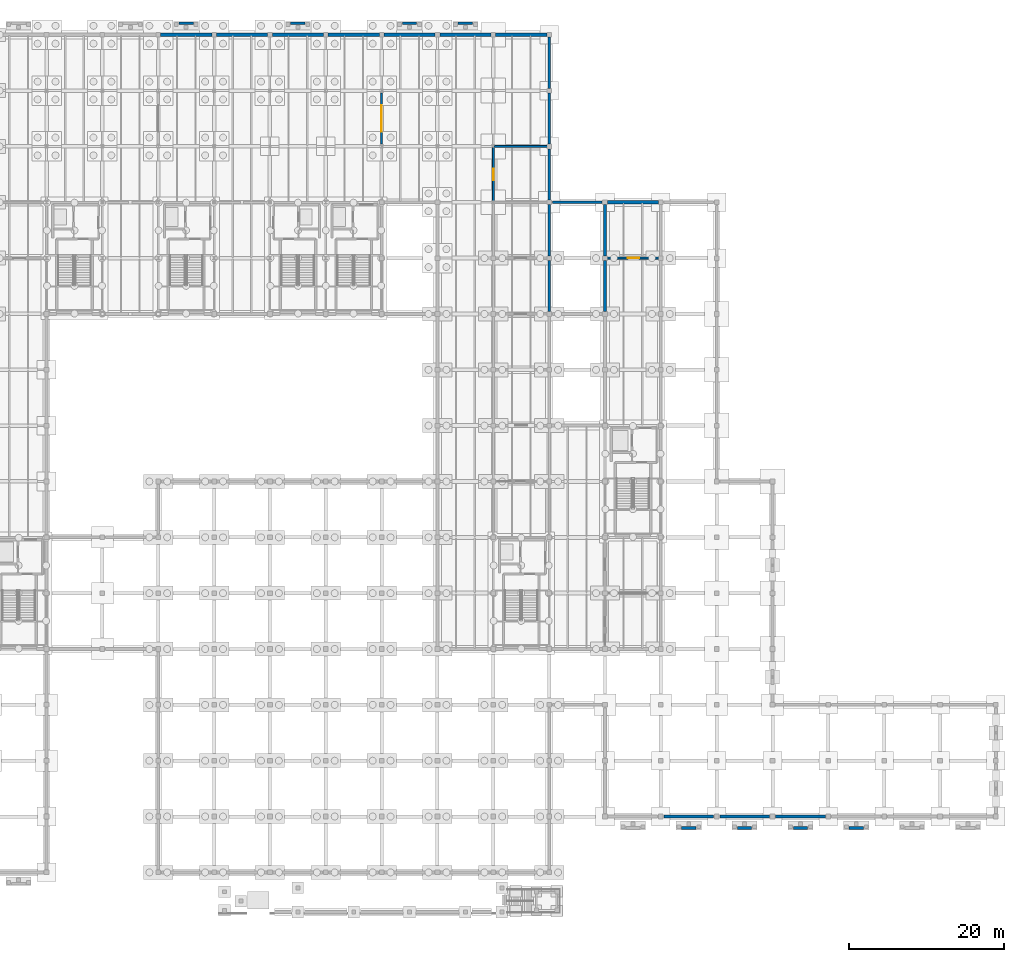
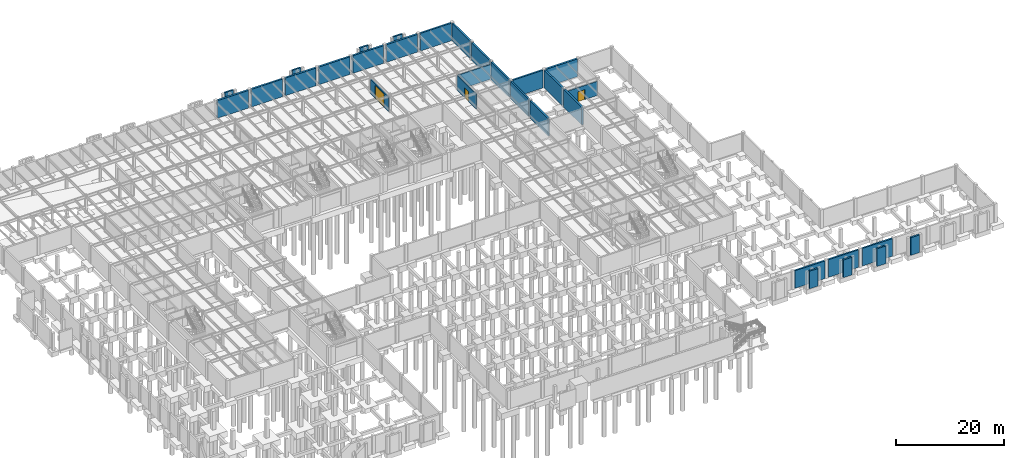
# One storey, part 37 of 46: 31 walls, 3 doors, 3 openings.
"""IFC4 building model written with IfcOpenShell, lengths in metres."""

from ifc_helpers import new_model, si_unit, direction, frame, frame_2d, origin, place, context, subcontext, project, spatial, rectangle, extrude, material, layer, layer_set, type_object, element, fill, save


model = new_model("IFC4")

# Units and contexts
model_context = context("Model", 3, precision=1e-05, world=origin(), true_north=direction((0.0, 1.0)))
body_context = subcontext(model_context, "Body", "Model", "MODEL_VIEW")
ifc_project = project(units=[si_unit("LENGTHUNIT", "METRE"), si_unit("AREAUNIT", "SQUARE_METRE"), si_unit("VOLUMEUNIT", "CUBIC_METRE"), si_unit("PLANEANGLEUNIT", "RADIAN"), si_unit("MASSUNIT", "GRAM", prefix="KILO")], contexts=[model_context])

# Site, building, storey
site_placement = place(None, origin())
site = spatial("IfcSite", under=ifc_project, at=site_placement, CompositionType="ELEMENT")
building_placement = place(site_placement, origin())
building = spatial("IfcBuilding", under=site, at=building_placement, Name="Sillqori Civic Hall", CompositionType="ELEMENT")
storey_placement = place(building_placement, frame((0.0, 0.0, -4.199951171875)))
storey = spatial("IfcBuildingStorey", under=building, at=storey_placement, Name="B01", CompositionType="ELEMENT", Elevation=-4.199951171875)

# Wall, opening, door
ifc_material_1 = material(Name="Concrete C30/37 (H30)", Category="concrete")
ifc_layer_1 = layer(ifc_material_1, 0.260009765625)
ifc_layer_set_1 = layer_set([ifc_layer_1], Name="Concrete C30/37 (H30)")
wall_type_1 = type_object("IfcWallType", Name="EW-MAS-260", PredefinedType="SOLIDWALL", material=ifc_layer_set_1)
wall_1_placement = place(storey_placement, frame((93.60009765625, 101.10009765625, 0.0), z_axis=(0.0, 0.0, 1.0), x_axis=(0.0, 1.0, 0.0)))
wall_1 = element("IfcWall", 1, at=wall_1_placement, inside=storey, type_object=wall_type_1, Name="B01 car park zone fire-shutter wall 2", PredefinedType="SOLIDWALL", context=body_context, shape_type="SweptSolid", body=[
    extrude(rectangle(XDim=6.599853515625, YDim=0.260009765625, at=frame_2d((3.2998046875, 0.0))), origin(), (0.0, 0.0, 1.0), 3.219970703125),
])
opening_1_placement = place(wall_1_placement, frame((1.60009765625, 0.0, 0.0)))
opening_1 = element("IfcOpeningElement", 2, at=opening_1_placement, cuts=wall_1, Name="Opening DG-04", PredefinedType="OPENING", context=body_context, shape_type="SweptSolid", body=[
    extrude(rectangle(XDim=3.39990234375, YDim=2.949951171875, at=frame_2d((1.699951171875, 1.47509765625))), frame((0.0, 0.139892578125, 0.0), z_axis=(0.0, -1.0, 0.0), x_axis=(1.0, 0.0, 0.0)), (0.0, 0.0, 1.0), 0.280029296875),
])
ifc_material_2 = material(Name="Galvanized Insulated Steel", Category="steel")
door_type_1 = type_object("IfcDoorType", Name="GAT-YARD-340X360", OperationType="NOTDEFINED", PredefinedType="GATE", material=ifc_material_2)
door_1_placement = place(opening_1_placement, origin())
door_1 = element("IfcDoor", 3, at=door_1_placement, inside=storey, type_object=door_type_1, Name="B01 car park fire-zone gate 2", OperationType="ROLLINGUP", OverallHeight=2.949951171875, OverallWidth=3.39990234375, PredefinedType="GATE", context=body_context, shape_type="SweptSolid", body=[
    extrude(rectangle(XDim=3.39990234375, YDim=2.949951171875, at=frame_2d((1.699951171875, 1.47509765625))), frame((0.0, 0.02490234375, 0.0), z_axis=(0.0, -1.0, 0.0), x_axis=(1.0, 0.0, 0.0)), (0.0, 0.0, 1.0), 0.050048828125),
])
fill(opening_1, door_1)

ifc_material_3 = material(Name="Concrete C25/30 (H25)", Category="concrete")
ifc_layer_2 = layer(ifc_material_3, 0.25)
ifc_layer_set_2 = layer_set([ifc_layer_2], Name="Concrete C25/30 (H25)")
wall_type_2 = type_object("IfcWallType", Name="PT-PLT-250", PredefinedType="PARTITIONING", material=ifc_layer_set_2)
wall_2_placement = place(storey_placement, frame((108.0, 93.719970703125, 0.0), z_axis=(0.0, 0.0, 1.0), x_axis=(0.0, 1.0, 0.0)))
wall_2 = element("IfcWall", 4, at=wall_2_placement, inside=storey, type_object=wall_type_2, Name="Fire Protection Pump and Sprinkler Valve Room B01-09 partition W1", PredefinedType="PARTITIONING", context=body_context, shape_type="SweptSolid", body=[
    extrude(rectangle(XDim=6.9599609375, YDim=0.25, at=frame_2d((3.47998046875, 0.0))), origin(), (0.0, 0.0, 1.0), 3.367919921875),
])
opening_2_placement = place(wall_2_placement, frame((2.72998046875, 0.0, 0.0)))
opening_2 = element("IfcOpeningElement", 5, at=opening_2_placement, cuts=wall_2, Name="Opening FD-07", PredefinedType="OPENING", context=body_context, shape_type="SweptSolid", body=[
    extrude(rectangle(XDim=1.5, YDim=2.25, at=frame_2d((0.75, 1.125))), frame((0.0, 0.135009765625, 0.0), z_axis=(0.0, -1.0, 0.0), x_axis=(1.0, 0.0, 0.0)), (0.0, 0.0, 1.0), 0.27001953125),
])
ifc_material_4 = material(Name="Double-Leaf Plant Room Fire Door", Category="steel")
door_type_2 = type_object("IfcDoorType", Name="FDR-PLT-150X225", OperationType="NOTDEFINED", PredefinedType="DOOR", material=ifc_material_4)
door_2_placement = place(opening_2_placement, origin())
door_2 = element("IfcDoor", 6, at=door_2_placement, inside=storey, type_object=door_type_2, Name="Fire Protection Pump and Sprinkler Valve Room B01-09 entrance door", OperationType="DOUBLE_DOOR_SINGLE_SWING", OverallHeight=2.25, OverallWidth=1.5, PredefinedType="DOOR", context=body_context, shape_type="SweptSolid", body=[
    extrude(rectangle(XDim=1.5, YDim=2.25, at=frame_2d((0.75, 1.125))), frame((0.0, 0.02490234375, 0.0), z_axis=(0.0, -1.0, 0.0), x_axis=(1.0, 0.0, 0.0)), (0.0, 0.0, 1.0), 0.050048828125),
])
fill(opening_2, door_2)

# Wall
wall_3_placement = place(storey_placement, frame((108.1201171875, 100.800048828125, 0.0), z_axis=(0.0, 0.0, 1.0), x_axis=(1.0, 0.0, 0.0)))
element("IfcWall", 7, at=wall_3_placement, inside=storey, type_object=wall_type_2, Name="Fire Protection Pump and Sprinkler Valve Room B01-09 partition N3", PredefinedType="PARTITIONING", context=body_context, shape_type="SweptSolid", body=[
    extrude(rectangle(XDim=6.9599609375, YDim=0.25, at=frame_2d((3.47998046875, 0.0))), origin(), (0.0, 0.0, 1.0), 3.367919921875),
])

# Wall, opening, door
wall_4_placement = place(storey_placement, frame((129.47998046875, 86.39990234375, 0.0), z_axis=(0.0, 0.0, 1.0), x_axis=(-1.0, 0.0, 0.0)))
wall_4 = element("IfcWall", 8, at=wall_4_placement, inside=storey, type_object=wall_type_2, Name="Emergency Standby Generator Hall B01-12 partition S1", PredefinedType="PARTITIONING", context=body_context, shape_type="SweptSolid", body=[
    extrude(rectangle(XDim=6.800048828125, YDim=0.25, at=frame_2d((3.39990234375, 0.0))), origin(), (0.0, 0.0, 1.0), 3.2080078125),
])
opening_3_placement = place(wall_4_placement, frame((2.64990234375, 0.0, 0.0)))
opening_3 = element("IfcOpeningElement", 9, at=opening_3_placement, cuts=wall_4, Name="Opening FD-07", PredefinedType="OPENING", context=body_context, shape_type="SweptSolid", body=[
    extrude(rectangle(XDim=1.5, YDim=2.25, at=frame_2d((0.75, 1.125))), frame((0.0, 0.135009765625, 0.0), z_axis=(0.0, -1.0, 0.0), x_axis=(1.0, 0.0, 0.0)), (0.0, 0.0, 1.0), 0.27001953125),
])
door_3_placement = place(opening_3_placement, origin())
door_3 = element("IfcDoor", 10, at=door_3_placement, inside=storey, type_object=door_type_2, Name="Emergency Standby Generator Hall B01-12 entrance door", OperationType="DOUBLE_DOOR_SINGLE_SWING", OverallHeight=2.25, OverallWidth=1.5, PredefinedType="DOOR", context=body_context, shape_type="SweptSolid", body=[
    extrude(rectangle(XDim=1.5, YDim=2.25, at=frame_2d((0.75, 1.125))), frame((0.0, 0.02490234375, 0.0), z_axis=(0.0, -1.0, 0.0), x_axis=(1.0, 0.0, 0.0)), (0.0, 0.0, 1.0), 0.050048828125),
])
fill(opening_3, door_3)

# Walls
ifc_material_5 = material(Name="Concrete C35/45 (H35)", Category="concrete")
ifc_layer_3 = layer(ifc_material_5, 0.35009765625)
ifc_layer_set_3 = layer_set([ifc_layer_3], Name="Concrete C35/45 (H35)")
wall_type_3 = type_object("IfcWallType", Name="RW-H35-350", PredefinedType="USERDEFINED", material=ifc_layer_set_3)
for number, where, z_axis, x_axis, name in (
    (11, (115.199951171875, 79.5, 0.0), (0.0, 0.0, 1.0), (0.0, 1.0, 0.0), "Basement retaining wall E 15-11"),
    (12, (115.199951171875, 86.699951171875, 0.0), (0.0, 0.0, 1.0), (0.0, 1.0, 0.0), "Basement retaining wall E 15-12"),
    (13, (115.199951171875, 93.89990234375, 0.0), (0.0, 0.0, 1.0), (0.0, 1.0, 0.0), "Basement retaining wall E 15-13"),
):
    element("IfcWall", number, at=place(storey_placement, frame(where, z_axis=z_axis, x_axis=x_axis)), inside=storey, type_object=wall_type_3, Name=name, ObjectType="RETAININGWALL", PredefinedType="USERDEFINED", context=body_context, shape_type="SweptSolid", body=[
        extrude(rectangle(XDim=6.60009765625, YDim=0.35009765625, at=frame_2d((3.300048828125, 0.0))), origin(), (0.0, 0.0, 1.0), 3.97998046875),
    ])
for number, where, z_axis, x_axis, name in (
    (14, (115.199951171875, 101.10009765625, 0.0), (0.0, 0.0, 1.0), (0.0, 1.0, 0.0), "Basement retaining wall E 15-14"),
    (15, (115.199951171875, 108.300048828125, 0.0), (0.0, 0.0, 1.0), (0.0, 1.0, 0.0), "Basement retaining wall E 15-15"),
):
    element("IfcWall", number, at=place(storey_placement, frame(where, z_axis=z_axis, x_axis=x_axis)), inside=storey, type_object=wall_type_3, Name=name, ObjectType="RETAININGWALL", PredefinedType="USERDEFINED", context=body_context, shape_type="SweptSolid", body=[
        extrude(rectangle(XDim=6.599853515625, YDim=0.35009765625, at=frame_2d((3.2998046875, 0.0))), origin(), (0.0, 0.0, 1.0), 3.97998046875),
    ])
for number, where, z_axis, x_axis, name in (
    (16, (115.60009765625, 93.60009765625, 0.0), (0.0, 0.0, 1.0), (1.0, 0.0, 0.0), "Podium plinth retaining wall N 16-12"),
    (17, (130.0, 14.39990234375, 0.0), (0.0, 0.0, 1.0), (1.0, 0.0, 0.0), "Podium plinth retaining wall S 18-2"),
):
    element("IfcWall", number, at=place(storey_placement, frame(where, z_axis=z_axis, x_axis=x_axis)), inside=storey, type_object=wall_type_3, Name=name, ObjectType="RETAININGWALL", PredefinedType="USERDEFINED", context=body_context, shape_type="SweptSolid", body=[
        extrude(rectangle(XDim=6.39990234375, YDim=0.35009765625, at=frame_2d((3.199951171875, 0.0))), origin(), (0.0, 0.0, 1.0), 3.97998046875),
    ])
for number, where, z_axis, x_axis, name in (
    (18, (137.199951171875, 14.39990234375, 0.0), (0.0, 0.0, 1.0), (1.0, 0.0, 0.0), "Podium plinth retaining wall S 19-2"),
    (19, (144.39990234375, 14.39990234375, 0.0), (0.0, 0.0, 1.0), (1.0, 0.0, 0.0), "Podium plinth retaining wall S 20-2"),
):
    element("IfcWall", number, at=place(storey_placement, frame(where, z_axis=z_axis, x_axis=x_axis)), inside=storey, type_object=wall_type_3, Name=name, ObjectType="RETAININGWALL", PredefinedType="USERDEFINED", context=body_context, shape_type="SweptSolid", body=[
        extrude(rectangle(XDim=6.400146484375, YDim=0.35009765625, at=frame_2d((3.2001953125, 0.0))), origin(), (0.0, 0.0, 1.0), 3.97998046875),
    ])
for number, where, z_axis, x_axis, name in (
    (20, (67.47998046875, 116.679931640625, 0.0), (0.0, 0.0, 1.0), (1.0, 0.0, 0.0), "North Civic Garden Courtyard Portal plinth retaining wall"),
    (21, (81.8798828125, 116.679931640625, 0.0), (0.0, 0.0, 1.0), (1.0, 0.0, 0.0), "North Civic Garden Courtyard Exit plinth retaining wall"),
    (22, (96.280029296875, 116.679931640625, 0.0), (0.0, 0.0, 1.0), (1.0, 0.0, 0.0), "North Civic Garden Core C8 Exit plinth retaining wall"),
    (23, (103.47998046875, 116.679931640625, 0.0), (0.0, 0.0, 1.0), (1.0, 0.0, 0.0), "North Civic Garden East Exit plinth retaining wall"),
    (24, (132.280029296875, 12.919921875, 0.0), (0.0, 0.0, 1.0), (1.0, 0.0, 0.0), "Members Library Pavilion Entrance plinth retaining wall"),
    (25, (139.47998046875, 12.919921875, 0.0), (0.0, 0.0, 1.0), (1.0, 0.0, 0.0), "Members Library Central Portal plinth retaining wall"),
    (26, (146.679931640625, 12.919921875, 0.0), (0.0, 0.0, 1.0), (1.0, 0.0, 0.0), "Library Garden East Promenade Exit plinth retaining wall"),
    (27, (153.8798828125, 12.919921875, 0.0), (0.0, 0.0, 1.0), (1.0, 0.0, 0.0), "Library Cloister South Exit plinth retaining wall"),
):
    element("IfcWall", number, at=place(storey_placement, frame(where, z_axis=z_axis, x_axis=x_axis)), inside=storey, type_object=wall_type_3, Name=name, ObjectType="RETAININGWALL", PredefinedType="USERDEFINED", context=body_context, shape_type="SweptSolid", body=[
        extrude(rectangle(XDim=1.840087890625, YDim=0.35009765625, at=frame_2d((0.919921875, 0.0))), origin(), (0.0, 0.0, 1.0), 3.97998046875),
    ])
ifc_layer_4 = layer(ifc_material_5, 0.39990234375)
ifc_layer_set_4 = layer_set([ifc_layer_4], Name="Concrete C35/45 (H35)")
wall_type_4 = type_object("IfcWallType", Name="RW-H35-400", PredefinedType="USERDEFINED", material=ifc_layer_set_4)
for number, where, z_axis, x_axis, name in (
    (28, (65.10009765625, 115.199951171875, 0.0), (0.0, 0.0, 1.0), (1.0, 0.0, 0.0), "Basement retaining wall N 9-15"),
    (29, (72.300048828125, 115.199951171875, 0.0), (0.0, 0.0, 1.0), (1.0, 0.0, 0.0), "Basement retaining wall N 10-15"),
):
    element("IfcWall", number, at=place(storey_placement, frame(where, z_axis=z_axis, x_axis=x_axis)), inside=storey, type_object=wall_type_4, Name=name, ObjectType="RETAININGWALL", PredefinedType="USERDEFINED", context=body_context, shape_type="SweptSolid", body=[
        extrude(rectangle(XDim=6.599853515625, YDim=0.39990234375, at=frame_2d((3.2998046875, 0.0))), origin(), (0.0, 0.0, 1.0), 3.97998046875),
    ])
for number, where, z_axis, x_axis, name in (
    (30, (79.5, 115.199951171875, 0.0), (0.0, 0.0, 1.0), (1.0, 0.0, 0.0), "Basement retaining wall N 11-15"),
    (31, (86.699951171875, 115.199951171875, 0.0), (0.0, 0.0, 1.0), (1.0, 0.0, 0.0), "Basement retaining wall N 12-15"),
    (32, (93.89990234375, 115.199951171875, 0.0), (0.0, 0.0, 1.0), (1.0, 0.0, 0.0), "Basement retaining wall N 13-15"),
):
    element("IfcWall", number, at=place(storey_placement, frame(where, z_axis=z_axis, x_axis=x_axis)), inside=storey, type_object=wall_type_4, Name=name, ObjectType="RETAININGWALL", PredefinedType="USERDEFINED", context=body_context, shape_type="SweptSolid", body=[
        extrude(rectangle(XDim=6.60009765625, YDim=0.39990234375, at=frame_2d((3.300048828125, 0.0))), origin(), (0.0, 0.0, 1.0), 3.97998046875),
    ])
for number, where, z_axis, x_axis, name in (
    (33, (101.10009765625, 115.199951171875, 0.0), (0.0, 0.0, 1.0), (1.0, 0.0, 0.0), "Basement retaining wall N 14-15"),
    (34, (108.300048828125, 115.199951171875, 0.0), (0.0, 0.0, 1.0), (1.0, 0.0, 0.0), "Basement retaining wall N 15-15"),
):
    element("IfcWall", number, at=place(storey_placement, frame(where, z_axis=z_axis, x_axis=x_axis)), inside=storey, type_object=wall_type_4, Name=name, ObjectType="RETAININGWALL", PredefinedType="USERDEFINED", context=body_context, shape_type="SweptSolid", body=[
        extrude(rectangle(XDim=6.599853515625, YDim=0.39990234375, at=frame_2d((3.2998046875, 0.0))), origin(), (0.0, 0.0, 1.0), 3.97998046875),
    ])
for number, where, z_axis, x_axis, name in (
    (35, (122.39990234375, 79.5, 0.0), (0.0, 0.0, 1.0), (0.0, 1.0, 0.0), "Basement retaining wall W 17-11"),
    (36, (122.699951171875, 93.60009765625, 0.0), (0.0, 0.0, 1.0), (1.0, 0.0, 0.0), "Basement retaining wall N 17-12"),
    (37, (122.39990234375, 86.699951171875, 0.0), (0.0, 0.0, 1.0), (0.0, 1.0, 0.0), "Basement retaining wall W 17-12"),
):
    element("IfcWall", number, at=place(storey_placement, frame(where, z_axis=z_axis, x_axis=x_axis)), inside=storey, type_object=wall_type_4, Name=name, ObjectType="RETAININGWALL", PredefinedType="USERDEFINED", context=body_context, shape_type="SweptSolid", body=[
        extrude(rectangle(XDim=6.60009765625, YDim=0.39990234375, at=frame_2d((3.300048828125, 0.0))), origin(), (0.0, 0.0, 1.0), 3.97998046875),
    ])

save(model, "model.ifc")
